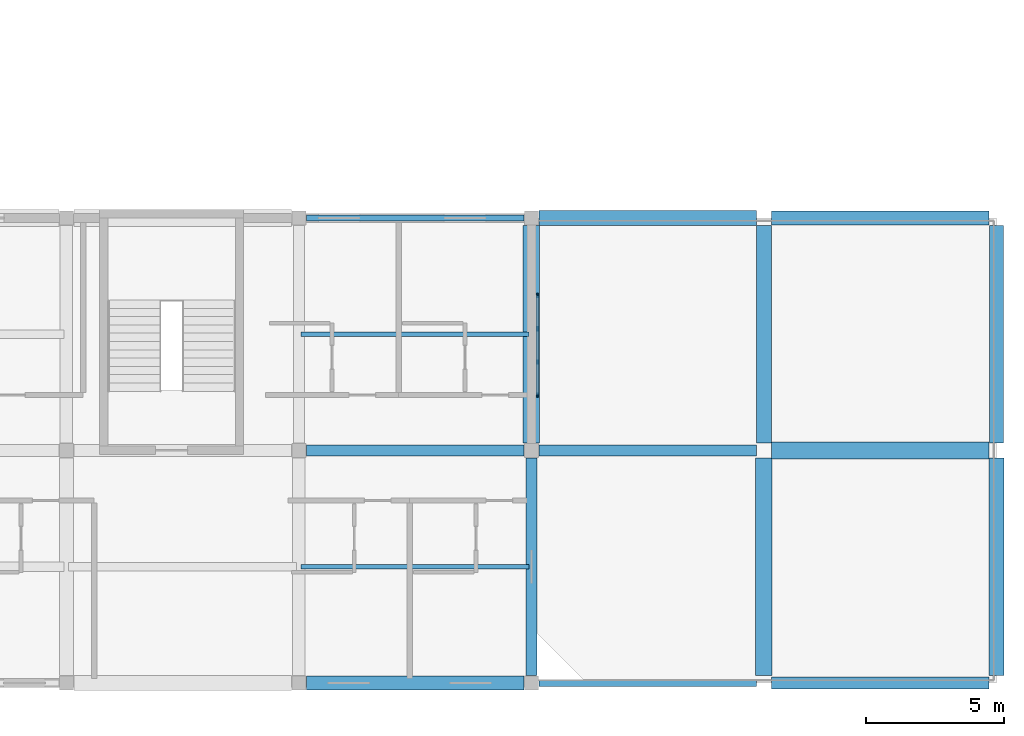
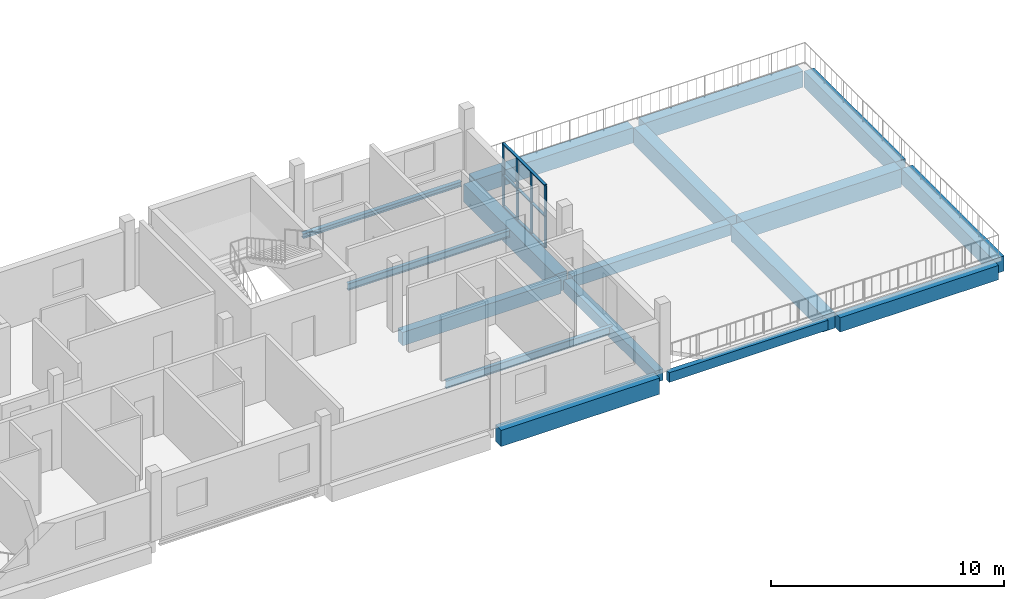
# One storey, part 6 of 20: 17 beams, 7 members, 1 element without a shape of its own.
"""IFC4 building model written with IfcOpenShell, lengths in metres."""

from ifc_helpers import new_model, si_unit, derived_unit, direction, frame, origin, origin_2d, place, context, subcontext, project, spatial, rectangle, i_section, extrude, material, material_profile, profile_set, type_object, element, aggregate, save


model = new_model("IFC4")

# Units and contexts
model_context = context("Model", 3, precision=1e-05, world=origin(), true_north=direction((0.0, 1.0)))
body_context = subcontext(model_context, "Body", "Model", "MODEL_VIEW")
ifc_project = project(units=[si_unit("LENGTHUNIT", "METRE"), si_unit("AREAUNIT", "SQUARE_METRE"), si_unit("VOLUMEUNIT", "CUBIC_METRE"), si_unit("PLANEANGLEUNIT", "RADIAN"), si_unit("MASSUNIT", "GRAM", prefix="KILO"), derived_unit("THERMALTRANSMITTANCEUNIT", [(si_unit("POWERUNIT", "WATT"), 1), (si_unit("LENGTHUNIT", "METRE"), -2), (si_unit("THERMODYNAMICTEMPERATUREUNIT", "KELVIN"), -1)])], contexts=[model_context])

# Site, building, storey
site_placement = place(None, origin())
site = spatial("IfcSite", under=ifc_project, at=site_placement, CompositionType="ELEMENT")
building_placement = place(site_placement, origin())
building = spatial("IfcBuilding", under=site, at=building_placement, Name="Barrovel Congress Hotel", CompositionType="ELEMENT")
storey_placement = place(building_placement, frame((0.0, 0.0, 39.89990234375)))
storey = spatial("IfcBuildingStorey", under=building, at=storey_placement, Name="L10", CompositionType="ELEMENT", Elevation=39.89990234375)

# Beams
ifc_material_1 = material(Name="Concrete C40", Category="concrete")
ifc_material_profile_1 = material_profile(ifc_material_1, rectangle(XDim=0.25, YDim=0.5, at=origin_2d()), Name="RC250x500")
ifc_profile_set_1 = profile_set([ifc_material_profile_1], Name="Concrete C40")
beam_type_1 = type_object("IfcBeamType", Name="BM-RC250x500", PredefinedType="SPANDREL", material=ifc_profile_set_1)
beam_1_placement = place(storey_placement, frame((117.875, 4.199951171875, -0.469970703125), z_axis=(1.0, 0.0, 0.0), x_axis=(0.0, 1.0, 0.0)))
element("IfcBeam", 1, at=beam_1_placement, inside=storey, type_object=beam_type_1, Name="BMX:L10:4.2:117.6-126.0", PredefinedType="SPANDREL", context=body_context, shape_type="SweptSolid", body=[
    extrude(rectangle(XDim=0.25, YDim=0.5, at=origin_2d()), origin(), (0.0, 0.0, 1.0), 7.85009765625),
])
ifc_material_profile_2 = material_profile(ifc_material_1, rectangle(XDim=0.39990234375, YDim=0.60009765625, at=origin_2d()), Name="RC400x600")
ifc_profile_set_2 = profile_set([ifc_material_profile_2], Name="Concrete C40")
beam_type_2 = type_object("IfcBeamType", Name="BM-RC400x600", PredefinedType="BEAM", material=ifc_profile_set_2)
beam_2_placement = place(storey_placement, frame((117.875, 12.60009765625, -0.52001953125), z_axis=(1.0, 0.0, 0.0), x_axis=(0.0, 1.0, 0.0)))
element("IfcBeam", 2, at=beam_2_placement, inside=storey, type_object=beam_type_2, Name="BMX:L10:12.6:117.6-126.0", PredefinedType="BEAM", context=body_context, shape_type="SweptSolid", body=[
    extrude(rectangle(XDim=0.39990234375, YDim=0.60009765625, at=origin_2d()), origin(), (0.0, 0.0, 1.0), 7.85009765625),
])
beam_3_placement = place(storey_placement, frame((117.60009765625, 4.47509765625, -0.52001953125), z_axis=(0.0, 1.0, 0.0), x_axis=(-1.0, 0.0, 0.0)))
element("IfcBeam", 3, at=beam_3_placement, inside=storey, type_object=beam_type_2, Name="BMY:L10:117.6:4.2-12.6", PredefinedType="BEAM", context=body_context, shape_type="SweptSolid", body=[
    extrude(rectangle(XDim=0.39990234375, YDim=0.60009765625, at=origin_2d()), origin(), (0.0, 0.0, 1.0), 7.849853515625),
])
ifc_material_profile_3 = material_profile(ifc_material_1, rectangle(XDim=0.39990234375, YDim=0.699951171875, at=origin_2d()), Name="RC400x700")
ifc_profile_set_3 = profile_set([ifc_material_profile_3], Name="Concrete C40")
beam_type_3 = type_object("IfcBeamType", Name="BM-RC400x700", PredefinedType="BEAM", material=ifc_profile_set_3)
beam_4_placement = place(storey_placement, frame((109.47509765625, 12.60009765625, -0.56982421875), z_axis=(1.0, 0.0, 0.0), x_axis=(0.0, 1.0, 0.0)))
element("IfcBeam", 4, at=beam_4_placement, inside=storey, type_object=beam_type_3, Name="BMX:L10:12.6:109.2-117.6", PredefinedType="BEAM", context=body_context, shape_type="SweptSolid", body=[
    extrude(rectangle(XDim=0.39990234375, YDim=0.699951171875, at=origin_2d()), origin(), (0.0, 0.0, 1.0), 7.849853515625),
])
ifc_material_profile_4 = material_profile(ifc_material_1, rectangle(XDim=0.449951171875, YDim=0.75, at=origin_2d()), Name="RC450x750")
ifc_profile_set_4 = profile_set([ifc_material_profile_4], Name="Concrete C40")
beam_type_4 = type_object("IfcBeamType", Name="BM-RC450x750", PredefinedType="BEAM", material=ifc_profile_set_4)
beam_5_placement = place(storey_placement, frame((126.27490234375, 4.199951171875, -0.594970703125), z_axis=(1.0, 0.0, 0.0), x_axis=(0.0, 1.0, 0.0)))
element("IfcBeam", 5, at=beam_5_placement, inside=storey, type_object=beam_type_4, Name="BMX:L10:4.2:126.0-134.4", PredefinedType="BEAM", context=body_context, shape_type="SweptSolid", body=[
    extrude(rectangle(XDim=0.449951171875, YDim=0.75, at=origin_2d()), origin(), (0.0, 0.0, 1.0), 7.85009765625),
])
ifc_material_profile_5 = material_profile(ifc_material_1, rectangle(XDim=0.5, YDim=0.85009765625, at=origin_2d()), Name="RC500x850")
ifc_profile_set_5 = profile_set([ifc_material_profile_5], Name="Concrete C40")
beam_type_5 = type_object("IfcBeamType", Name="BM-RC500x850", PredefinedType="BEAM", material=ifc_profile_set_5)
beam_6_placement = place(storey_placement, frame((109.47509765625, 4.199951171875, -0.64501953125), z_axis=(1.0, 0.0, 0.0), x_axis=(0.0, 1.0, 0.0)))
element("IfcBeam", 6, at=beam_6_placement, inside=storey, type_object=beam_type_5, Name="BMX:L10:4.2:109.2-117.6", PredefinedType="BEAM", context=body_context, shape_type="SweptSolid", body=[
    extrude(rectangle(XDim=0.5, YDim=0.85009765625, at=origin_2d()), origin(), (0.0, 0.0, 1.0), 7.849853515625),
])
for number, where, z_axis, x_axis, name in (
    (7, (126.27490234375, 21.0, -0.64501953125), (1.0, 0.0, 0.0), (0.0, 1.0, 0.0), "BMX:L10:21.0:126.0-134.4"),
    (8, (134.39990234375, 12.875, -0.64501953125), (0.0, 1.0, 0.0), (-1.0, 0.0, 0.0), "BMY:L10:134.4:12.6-21.0"),
):
    element("IfcBeam", number, at=place(storey_placement, frame(where, z_axis=z_axis, x_axis=x_axis)), inside=storey, type_object=beam_type_5, Name=name, PredefinedType="BEAM", context=body_context, shape_type="SweptSolid", body=[
        extrude(rectangle(XDim=0.5, YDim=0.85009765625, at=origin_2d()), origin(), (0.0, 0.0, 1.0), 7.85009765625),
    ])
ifc_material_profile_6 = material_profile(ifc_material_1, rectangle(XDim=0.550048828125, YDim=0.800048828125, at=origin_2d()), Name="RC550x800")
ifc_profile_set_6 = profile_set([ifc_material_profile_6], Name="Concrete C40")
beam_type_6 = type_object("IfcBeamType", Name="BM-RC550x800", PredefinedType="BEAM", material=ifc_profile_set_6)
beam_7_placement = place(storey_placement, frame((117.875, 21.0, -0.619873046875), z_axis=(1.0, 0.0, 0.0), x_axis=(0.0, 1.0, 0.0)))
element("IfcBeam", 9, at=beam_7_placement, inside=storey, type_object=beam_type_6, Name="BMX:L10:21.0:117.6-126.0", PredefinedType="BEAM", context=body_context, shape_type="SweptSolid", body=[
    extrude(rectangle(XDim=0.550048828125, YDim=0.800048828125, at=origin_2d()), origin(), (0.0, 0.0, 1.0), 7.85009765625),
])
beam_8_placement = place(storey_placement, frame((134.39990234375, 4.47509765625, -0.619873046875), z_axis=(0.0, 1.0, 0.0), x_axis=(-1.0, 0.0, 0.0)))
element("IfcBeam", 10, at=beam_8_placement, inside=storey, type_object=beam_type_6, Name="BMY:L10:134.4:4.2-12.6", PredefinedType="BEAM", context=body_context, shape_type="SweptSolid", body=[
    extrude(rectangle(XDim=0.550048828125, YDim=0.800048828125, at=origin_2d()), origin(), (0.0, 0.0, 1.0), 7.849853515625),
])
ifc_material_profile_7 = material_profile(ifc_material_1, rectangle(XDim=0.550048828125, YDim=0.89990234375, at=origin_2d()), Name="RC550x900")
ifc_profile_set_7 = profile_set([ifc_material_profile_7], Name="Concrete C40")
beam_type_7 = type_object("IfcBeamType", Name="BM-RC550x900", PredefinedType="BEAM", material=ifc_profile_set_7)
beam_9_placement = place(storey_placement, frame((126.0, 12.875, -0.669921875), z_axis=(0.0, 1.0, 0.0), x_axis=(-1.0, 0.0, 0.0)))
element("IfcBeam", 11, at=beam_9_placement, inside=storey, type_object=beam_type_7, Name="BMY:L10:126.0:12.6-21.0", PredefinedType="BEAM", context=body_context, shape_type="SweptSolid", body=[
    extrude(rectangle(XDim=0.550048828125, YDim=0.89990234375, at=origin_2d()), origin(), (0.0, 0.0, 1.0), 7.85009765625),
])
ifc_material_profile_8 = material_profile(ifc_material_1, rectangle(XDim=0.60009765625, YDim=0.85009765625, at=origin_2d()), Name="RC600x850")
ifc_profile_set_8 = profile_set([ifc_material_profile_8], Name="Concrete C40")
beam_type_8 = type_object("IfcBeamType", Name="BM-RC600x850", PredefinedType="BEAM", material=ifc_profile_set_8)
beam_10_placement = place(storey_placement, frame((126.0, 4.47509765625, -0.64501953125), z_axis=(0.0, 1.0, 0.0), x_axis=(-1.0, 0.0, 0.0)))
element("IfcBeam", 12, at=beam_10_placement, inside=storey, type_object=beam_type_8, Name="BMY:L10:126.0:4.2-12.6", PredefinedType="BEAM", context=body_context, shape_type="SweptSolid", body=[
    extrude(rectangle(XDim=0.60009765625, YDim=0.85009765625, at=origin_2d()), origin(), (0.0, 0.0, 1.0), 7.849853515625),
])
ifc_material_profile_9 = material_profile(ifc_material_1, rectangle(XDim=0.60009765625, YDim=0.949951171875, at=origin_2d()), Name="RC600x950")
ifc_profile_set_9 = profile_set([ifc_material_profile_9], Name="Concrete C40")
beam_type_9 = type_object("IfcBeamType", Name="BM-RC600x950", PredefinedType="BEAM", material=ifc_profile_set_9)
for number, where, z_axis, x_axis, name in (
    (13, (126.27490234375, 12.60009765625, -0.69482421875), (1.0, 0.0, 0.0), (0.0, 1.0, 0.0), "BMX:L10:12.6:126.0-134.4"),
    (14, (117.60009765625, 12.875, -0.69482421875), (0.0, 1.0, 0.0), (-1.0, 0.0, 0.0), "BMY:L10:117.6:12.6-21.0"),
):
    element("IfcBeam", number, at=place(storey_placement, frame(where, z_axis=z_axis, x_axis=x_axis)), inside=storey, type_object=beam_type_9, Name=name, PredefinedType="BEAM", context=body_context, shape_type="SweptSolid", body=[
        extrude(rectangle(XDim=0.60009765625, YDim=0.949951171875, at=origin_2d()), origin(), (0.0, 0.0, 1.0), 7.85009765625),
    ])

# Curtain wall, members
ifc_material_2 = material(Name="Anodised Aluminium Alloy 6063-T6", Category="aluminium")
curtain_wall_type = type_object("IfcCurtainWallType", Name="CW-UN-3600x3200", PredefinedType="USERDEFINED", material=ifc_material_2)
curtain_wall_placement = place(storey_placement, origin())
curtain_wall = element("IfcCurtainWall", 15, at=curtain_wall_placement, inside=storey, type_object=curtain_wall_type, Name="CW:L10:UN-1", ObjectType="UNITISED CURTAIN WALL", PredefinedType="USERDEFINED")
ifc_material_profile_10 = material_profile(ifc_material_2, rectangle(XDim=0.06005859375, YDim=0.1650390625, at=origin_2d()), Name="AL-M60x165")
ifc_profile_set_10 = profile_set([ifc_material_profile_10], Name="Anodised Aluminium Alloy 6063-T6")
member_type_1 = type_object("IfcMemberType", Name="CWM-AL-M60x165", PredefinedType="MULLION", material=ifc_profile_set_10)
member_1_placement = place(storey_placement, frame((117.820068359375, 14.60009765625, 0.0), z_axis=(0.0, 0.0, 1.0), x_axis=(1.0, 0.0, 0.0)))
member_1 = element("IfcMember", 16, at=member_1_placement, type_object=member_type_1, Name="CW:L10:UN-1:M0", PredefinedType="MULLION", context=body_context, shape_type="SweptSolid", body=[
    extrude(rectangle(XDim=0.06005859375, YDim=0.1650390625, at=origin_2d()), origin(), (0.0, 0.0, 1.0), 3.25),
])
member_2_placement = place(storey_placement, frame((117.820068359375, 15.800048828125, 0.0), z_axis=(0.0, 0.0, 1.0), x_axis=(1.0, 0.0, 0.0)))
member_2 = element("IfcMember", 17, at=member_2_placement, type_object=member_type_1, Name="CW:L10:UN-1:M1", PredefinedType="MULLION", context=body_context, shape_type="SweptSolid", body=[
    extrude(rectangle(XDim=0.06005859375, YDim=0.1650390625, at=origin_2d()), origin(), (0.0, 0.0, 1.0), 3.25),
])
member_3_placement = place(storey_placement, frame((117.820068359375, 17.0, 0.0), z_axis=(0.0, 0.0, 1.0), x_axis=(1.0, 0.0, 0.0)))
member_3 = element("IfcMember", 18, at=member_3_placement, type_object=member_type_1, Name="CW:L10:UN-1:M2", PredefinedType="MULLION", context=body_context, shape_type="SweptSolid", body=[
    extrude(rectangle(XDim=0.06005859375, YDim=0.1650390625, at=origin_2d()), origin(), (0.0, 0.0, 1.0), 3.25),
])
member_4_placement = place(storey_placement, frame((117.820068359375, 18.199951171875, 0.0), z_axis=(0.0, 0.0, 1.0), x_axis=(1.0, 0.0, 0.0)))
member_4 = element("IfcMember", 19, at=member_4_placement, type_object=member_type_1, Name="CW:L10:UN-1:M3", PredefinedType="MULLION", context=body_context, shape_type="SweptSolid", body=[
    extrude(rectangle(XDim=0.06005859375, YDim=0.1650390625, at=origin_2d()), origin(), (0.0, 0.0, 1.0), 3.25),
])
ifc_material_profile_11 = material_profile(ifc_material_2, rectangle(XDim=0.125, YDim=0.06005859375, at=origin_2d()), Name="AL-T60x125")
ifc_profile_set_11 = profile_set([ifc_material_profile_11], Name="Anodised Aluminium Alloy 6063-T6")
member_type_2 = type_object("IfcMemberType", Name="CWT-AL-T60x125", PredefinedType="USERDEFINED", material=ifc_profile_set_11)
member_5_placement = place(storey_placement, frame((117.820068359375, 14.60009765625, 0.0), z_axis=(0.0, 1.0, 0.0), x_axis=(-1.0, 0.0, 0.0)))
member_5 = element("IfcMember", 20, at=member_5_placement, type_object=member_type_2, Name="CW:L10:UN-1:T0", ObjectType="TRANSOM", PredefinedType="USERDEFINED", context=body_context, shape_type="SweptSolid", body=[
    extrude(rectangle(XDim=0.125, YDim=0.06005859375, at=origin_2d()), origin(), (0.0, 0.0, 1.0), 3.599853515625),
])
member_6_placement = place(storey_placement, frame((117.820068359375, 14.60009765625, 1.625), z_axis=(0.0, 1.0, 0.0), x_axis=(-1.0, 0.0, 0.0)))
member_6 = element("IfcMember", 21, at=member_6_placement, type_object=member_type_2, Name="CW:L10:UN-1:T1", ObjectType="TRANSOM", PredefinedType="USERDEFINED", context=body_context, shape_type="SweptSolid", body=[
    extrude(rectangle(XDim=0.125, YDim=0.06005859375, at=origin_2d()), origin(), (0.0, 0.0, 1.0), 3.599853515625),
])
member_7_placement = place(storey_placement, frame((117.820068359375, 14.60009765625, 3.25), z_axis=(0.0, 1.0, 0.0), x_axis=(-1.0, 0.0, 0.0)))
member_7 = element("IfcMember", 22, at=member_7_placement, type_object=member_type_2, Name="CW:L10:UN-1:T2", ObjectType="TRANSOM", PredefinedType="USERDEFINED", context=body_context, shape_type="SweptSolid", body=[
    extrude(rectangle(XDim=0.125, YDim=0.06005859375, at=origin_2d()), origin(), (0.0, 0.0, 1.0), 3.599853515625),
])
aggregate(curtain_wall, [member_1, member_2, member_3, member_4, member_5, member_6, member_7])

# Beams
ifc_material_3 = material(Name="Steel ASTM A992 Grade 50", Category="steel")
ifc_material_profile_12 = material_profile(ifc_material_3, i_section(OverallWidth=0.201904296875, OverallDepth=0.2470703125, WebThickness=0.00732421875, FlangeThickness=0.010986328125, FilletRadius=0.011962890625, at=origin_2d()), Name="W250x49")
ifc_profile_set_12 = profile_set([ifc_material_profile_12], Name="Steel ASTM A992 Grade 50")
beam_type_10 = type_object("IfcBeamType", Name="SBM-W250x49", PredefinedType="SPANDREL", material=ifc_profile_set_12)
beam_11_placement = place(storey_placement, frame((109.47509765625, 21.0, -0.343505859375), z_axis=(1.0, 0.0, 0.0), x_axis=(0.0, 1.0, 0.0)))
element("IfcBeam", 23, at=beam_11_placement, inside=storey, type_object=beam_type_10, Name="BMX:L10:21.0:109.2-117.6", PredefinedType="SPANDREL", context=body_context, shape_type="SweptSolid", body=[
    extrude(i_section(OverallWidth=0.201904296875, OverallDepth=0.2470703125, WebThickness=0.00732421875, FlangeThickness=0.010986328125, FilletRadius=0.011962890625, at=origin_2d()), origin(), (0.0, 0.0, 1.0), 7.849853515625),
])
ifc_material_profile_13 = material_profile(ifc_material_3, i_section(OverallWidth=0.172119140625, OverallDepth=0.35791015625, WebThickness=0.0078125, FlangeThickness=0.01318359375, FilletRadius=0.011962890625, at=origin_2d()), Name="W360x57")
ifc_profile_set_13 = profile_set([ifc_material_profile_13], Name="Steel ASTM A992 Grade 50")
beam_type_11 = type_object("IfcBeamType", Name="SBM-W360x57", PredefinedType="JOIST", material=ifc_profile_set_13)
beam_12_placement = place(storey_placement, frame((109.280029296875, 16.800048828125, -0.39892578125), z_axis=(1.0, 0.0, 0.0), x_axis=(0.0, 1.0, 0.0)))
element("IfcBeam", 24, at=beam_12_placement, inside=storey, type_object=beam_type_11, Name="JST:L10:109.2:16.8", PredefinedType="JOIST", context=body_context, shape_type="SweptSolid", body=[
    extrude(i_section(OverallWidth=0.172119140625, OverallDepth=0.35791015625, WebThickness=0.0078125, FlangeThickness=0.01318359375, FilletRadius=0.011962890625, at=origin_2d()), origin(), (0.0, 0.0, 1.0), 8.239990234375),
])
ifc_material_profile_14 = material_profile(ifc_material_3, i_section(OverallWidth=0.177001953125, OverallDepth=0.403076171875, WebThickness=0.007568359375, FlangeThickness=0.010986328125, FilletRadius=0.011962890625, at=origin_2d()), Name="W410x53")
ifc_profile_set_14 = profile_set([ifc_material_profile_14], Name="Steel ASTM A992 Grade 50")
beam_type_12 = type_object("IfcBeamType", Name="SBM-W410x53", PredefinedType="JOIST", material=ifc_profile_set_14)
beam_13_placement = place(storey_placement, frame((109.280029296875, 8.39990234375, -0.42138671875), z_axis=(1.0, 0.0, 0.0), x_axis=(0.0, 1.0, 0.0)))
element("IfcBeam", 25, at=beam_13_placement, inside=storey, type_object=beam_type_12, Name="JST:L10:109.2:8.4", PredefinedType="JOIST", context=body_context, shape_type="SweptSolid", body=[
    extrude(i_section(OverallWidth=0.177001953125, OverallDepth=0.403076171875, WebThickness=0.007568359375, FlangeThickness=0.010986328125, FilletRadius=0.011962890625, at=origin_2d()), origin(), (0.0, 0.0, 1.0), 8.239990234375),
])

save(model, "model.ifc")
